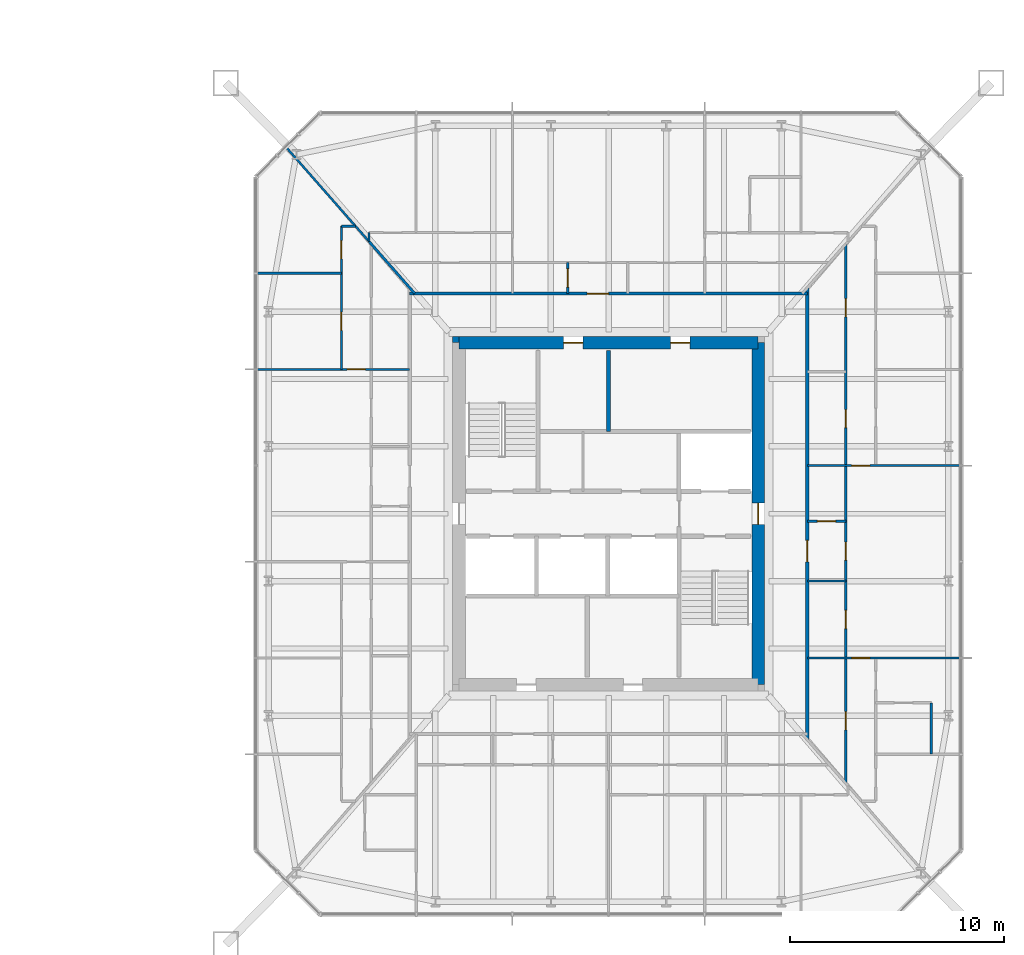
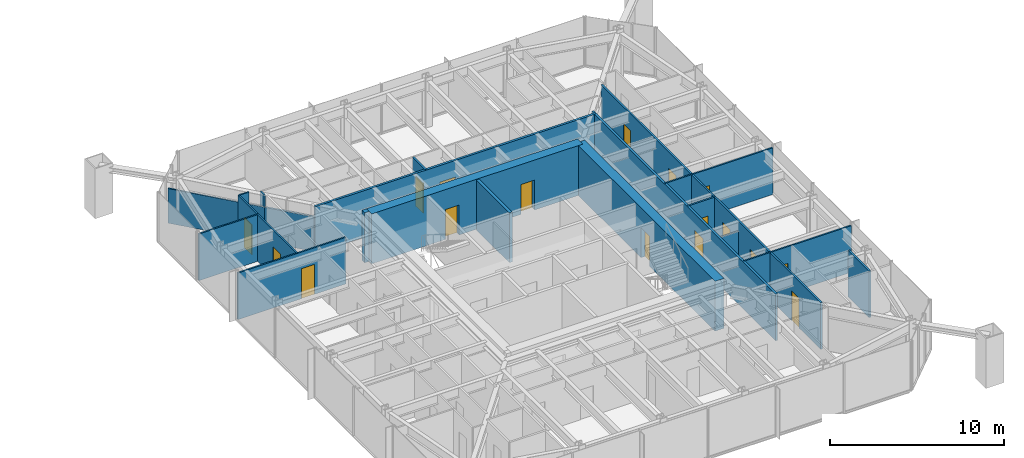
# One storey, part 20 of 26: 20 walls, 17 doors, 17 openings.
"""IFC4 building model written with IfcOpenShell, lengths in metres."""

from ifc_helpers import new_model, si_unit, direction, frame, frame_2d, origin, place, context, subcontext, project, spatial, rectangle, extrude, material, layer, layer_set, type_object, element, fill, save


model = new_model("IFC4")

# Units and contexts
model_context = context("Model", 3, precision=1e-05, world=origin(), true_north=direction((0.0, 1.0)))
body_context = subcontext(model_context, "Body", "Model", "MODEL_VIEW")
ifc_project = project(units=[si_unit("LENGTHUNIT", "METRE"), si_unit("AREAUNIT", "SQUARE_METRE"), si_unit("VOLUMEUNIT", "CUBIC_METRE"), si_unit("PLANEANGLEUNIT", "RADIAN"), si_unit("MASSUNIT", "GRAM", prefix="KILO")], contexts=[model_context])

# Site, building, storey
site_placement = place(None, origin())
site = spatial("IfcSite", under=ifc_project, at=site_placement, CompositionType="ELEMENT")
building_placement = place(site_placement, origin())
building = spatial("IfcBuilding", under=site, at=building_placement, Name="Iwan Alto Co-Living Towers", CompositionType="ELEMENT")
storey_placement = place(building_placement, frame((0.0, 0.0, 32.5)))
storey = spatial("IfcBuildingStorey", under=building, at=storey_placement, Name="L08", CompositionType="ELEMENT", Elevation=32.5)

# Wall, opening, door
ifc_material_1 = material(Name="Gypsum board")
ifc_layer_1 = layer(ifc_material_1, 0.02490234375, Name="Board", Category="Finish")
ifc_material_2 = material(Name="Steel ASTM A1003 ST33H cold-formed studs", Category="steel")
ifc_layer_2 = layer(ifc_material_2, 0.10009765625, Name="Studs", Category="Framing")
ifc_layer_3 = layer(ifc_material_1, 0.02490234375, Name="Board", Category="Finish")
ifc_layer_set_1 = layer_set([ifc_layer_1, ifc_layer_2, ifc_layer_3], Name="CORRIDOR WALL 150")
wall_type_1 = type_object("IfcWallType", Name="CORRIDOR WALL 150", PredefinedType="PARTITIONING", material=ifc_layer_set_1)
wall_1_placement = place(storey_placement, frame((53.699951171875, 10.300048828125, 0.0), z_axis=(0.0, 0.0, 1.0), x_axis=(1.0, 0.0, 0.0)))
wall_1 = element("IfcWall", 1, at=wall_1_placement, inside=storey, type_object=wall_type_1, Name="Partition L08", PredefinedType="PARTITIONING", context=body_context, shape_type="SweptSolid", body=[
    extrude(rectangle(XDim=18.60009765625, YDim=0.14990234375, at=frame_2d((9.300048828125, 0.0))), origin(), (0.0, 0.0, 1.0), 3.27001953125),
])
opening_1_placement = place(wall_1_placement, frame((8.300048828125, 0.0, 0.0)))
opening_1 = element("IfcOpeningElement", 2, at=opening_1_placement, cuts=wall_1, Name="Opening D3", PredefinedType="OPENING", context=body_context, shape_type="SweptSolid", body=[
    extrude(rectangle(XDim=1.0, YDim=2.10009765625, at=frame_2d((0.5, 1.050048828125))), frame((0.0, 0.0849609375, 0.0), z_axis=(0.0, -1.0, 0.0), x_axis=(1.0, 0.0, 0.0)), (0.0, 0.0, 1.0), 0.169921875),
])
ifc_material_3 = material(Name="Steel frame with timber leaf", Category="steel")
door_type_1 = type_object("IfcDoorType", Name="FLAT ENTRANCE DOOR FD30S 1000X2100", OperationType="SINGLE_SWING_LEFT", PredefinedType="DOOR", material=ifc_material_3)
door_1_placement = place(opening_1_placement, origin())
door_1 = element("IfcDoor", 3, at=door_1_placement, inside=storey, type_object=door_type_1, Name="Apartment foyer door L08", OperationType="SINGLE_SWING_LEFT", OverallHeight=2.10009765625, OverallWidth=1.0, PredefinedType="DOOR", context=body_context, shape_type="SweptSolid", body=[
    extrude(rectangle(XDim=1.0, YDim=2.10009765625, at=frame_2d((0.5, 1.050048828125))), frame((0.0, 0.02490234375, 0.0), z_axis=(0.0, -1.0, 0.0), x_axis=(1.0, 0.0, 0.0)), (0.0, 0.0, 1.0), 0.050048828125),
])
fill(opening_1, door_1)

wall_2_placement = place(storey_placement, frame((72.300048828125, -10.568115234375, 0.0), z_axis=(0.0, 0.0, 1.0), x_axis=(0.0, 1.0, 0.0)))
wall_2 = element("IfcWall", 4, at=wall_2_placement, inside=storey, type_object=wall_type_1, Name="Partition L08", PredefinedType="PARTITIONING", context=body_context, shape_type="SweptSolid", body=[
    extrude(rectangle(XDim=21.13623046875, YDim=0.14990234375, at=frame_2d((10.568115234375, 0.0))), origin(), (0.0, 0.0, 1.0), 3.27001953125),
])
opening_2_placement = place(wall_2_placement, frame((8.318115234375, 0.0, 0.0)))
opening_2 = element("IfcOpeningElement", 5, at=opening_2_placement, cuts=wall_2, Name="Opening D3", PredefinedType="OPENING", context=body_context, shape_type="SweptSolid", body=[
    extrude(rectangle(XDim=1.0, YDim=2.10009765625, at=frame_2d((0.5, 1.050048828125))), frame((0.0, 0.0849609375, 0.0), z_axis=(0.0, -1.0, 0.0), x_axis=(1.0, 0.0, 0.0)), (0.0, 0.0, 1.0), 0.169921875),
])
door_2_placement = place(opening_2_placement, frame((1.0, 0.0, 0.0), z_axis=(0.0, 0.0, 1.0), x_axis=(-1.0, 0.0, 0.0)))
door_2 = element("IfcDoor", 6, at=door_2_placement, inside=storey, type_object=door_type_1, Name="Apartment foyer door L08", OperationType="SINGLE_SWING_RIGHT", OverallHeight=2.10009765625, OverallWidth=1.0, PredefinedType="DOOR", context=body_context, shape_type="SweptSolid", body=[
    extrude(rectangle(XDim=1.0, YDim=2.10009765625, at=frame_2d((0.5, 1.050048828125))), frame((0.0, 0.02490234375, 0.0), z_axis=(0.0, -1.0, 0.0), x_axis=(1.0, 0.0, 0.0)), (0.0, 0.0, 1.0), 0.050048828125),
])
fill(opening_2, door_2)

ifc_layer_4 = layer(ifc_material_1, 0.012451171875, Name="Board", Category="Finish")
ifc_layer_5 = layer(ifc_material_2, 0.074951171875, Name="Studs", Category="Framing")
ifc_layer_6 = layer(ifc_material_1, 0.012451171875, Name="Board", Category="Finish")
ifc_layer_set_2 = layer_set([ifc_layer_4, ifc_layer_5, ifc_layer_6], Name="PARTITION 100")
wall_type_2 = type_object("IfcWallType", Name="PARTITION 100", PredefinedType="PARTITIONING", material=ifc_layer_set_2)
wall_3_placement = place(storey_placement, frame((72.300048828125, -6.75, 0.0), z_axis=(0.0, 0.0, 1.0), x_axis=(1.0, 0.0, 0.0)))
wall_3 = element("IfcWall", 7, at=wall_3_placement, inside=storey, type_object=wall_type_2, Name="Partition L08", PredefinedType="PARTITIONING", context=body_context, shape_type="SweptSolid", body=[
    extrude(rectangle(XDim=7.139892578125, YDim=0.10009765625, at=frame_2d((3.56982421875, 0.0))), origin(), (0.0, 0.0, 1.0), 3.27001953125),
])
opening_3_placement = place(wall_3_placement, frame((2.074951171875, 0.0, 0.0)))
opening_3 = element("IfcOpeningElement", 8, at=opening_3_placement, cuts=wall_3, Name="Opening D2", PredefinedType="OPENING", context=body_context, shape_type="SweptSolid", body=[
    extrude(rectangle(XDim=0.85009765625, YDim=2.10009765625, at=frame_2d((0.425048828125, 1.050048828125))), frame((0.0, 0.06005859375, 0.0), z_axis=(0.0, -1.0, 0.0), x_axis=(1.0, 0.0, 0.0)), (0.0, 0.0, 1.0), 0.1201171875),
])
ifc_material_4 = material(Name="Timber leaf in steel frame", Category="steel")
door_type_2 = type_object("IfcDoorType", Name="ROOM DOOR 850X2100", OperationType="SINGLE_SWING_LEFT", PredefinedType="DOOR", material=ifc_material_4)
door_3_placement = place(opening_3_placement, origin())
door_3 = element("IfcDoor", 9, at=door_3_placement, inside=storey, type_object=door_type_2, Name="Apartment hall door L08", OperationType="SINGLE_SWING_LEFT", OverallHeight=2.10009765625, OverallWidth=0.85009765625, PredefinedType="DOOR", context=body_context, shape_type="SweptSolid", body=[
    extrude(rectangle(XDim=0.85009765625, YDim=2.10009765625, at=frame_2d((0.425048828125, 1.050048828125))), frame((0.0, 0.02490234375, 0.0), z_axis=(0.0, -1.0, 0.0), x_axis=(1.0, 0.0, 0.0)), (0.0, 0.0, 1.0), 0.050048828125),
])
fill(opening_3, door_3)

# Wall
wall_4_placement = place(storey_placement, frame((72.300048828125, -3.14990234375, 0.0), z_axis=(0.0, 0.0, 1.0), x_axis=(1.0, 0.0, 0.0)))
element("IfcWall", 10, at=wall_4_placement, inside=storey, type_object=wall_type_2, Name="Partition L08", PredefinedType="PARTITIONING", context=body_context, shape_type="SweptSolid", body=[
    extrude(rectangle(XDim=1.800048828125, YDim=0.10009765625, at=frame_2d((0.89990234375, 0.0))), origin(), (0.0, 0.0, 1.0), 2.586669921875),
])

# Wall, opening, door
wall_5_placement = place(storey_placement, frame((72.300048828125, 2.25, 0.0), z_axis=(0.0, 0.0, 1.0), x_axis=(1.0, 0.0, 0.0)))
wall_5 = element("IfcWall", 11, at=wall_5_placement, inside=storey, type_object=wall_type_2, Name="Partition L08", PredefinedType="PARTITIONING", context=body_context, shape_type="SweptSolid", body=[
    extrude(rectangle(XDim=7.139892578125, YDim=0.10009765625, at=frame_2d((3.56982421875, 0.0))), origin(), (0.0, 0.0, 1.0), 3.27001953125),
])
opening_4_placement = place(wall_5_placement, frame((2.074951171875, 0.0, 0.0)))
opening_4 = element("IfcOpeningElement", 12, at=opening_4_placement, cuts=wall_5, Name="Opening D2", PredefinedType="OPENING", context=body_context, shape_type="SweptSolid", body=[
    extrude(rectangle(XDim=0.85009765625, YDim=2.10009765625, at=frame_2d((0.425048828125, 1.050048828125))), frame((0.0, 0.06005859375, 0.0), z_axis=(0.0, -1.0, 0.0), x_axis=(1.0, 0.0, 0.0)), (0.0, 0.0, 1.0), 0.1201171875),
])
door_4_placement = place(opening_4_placement, frame((0.85009765625, 0.0, 0.0), z_axis=(0.0, 0.0, 1.0), x_axis=(-1.0, 0.0, 0.0)))
door_4 = element("IfcDoor", 13, at=door_4_placement, inside=storey, type_object=door_type_2, Name="Apartment hall door L08", OperationType="SINGLE_SWING_RIGHT", OverallHeight=2.10009765625, OverallWidth=0.85009765625, PredefinedType="DOOR", context=body_context, shape_type="SweptSolid", body=[
    extrude(rectangle(XDim=0.85009765625, YDim=2.10009765625, at=frame_2d((0.425048828125, 1.050048828125))), frame((0.0, 0.02490234375, 0.0), z_axis=(0.0, -1.0, 0.0), x_axis=(1.0, 0.0, 0.0)), (0.0, 0.0, 1.0), 0.050048828125),
])
fill(opening_4, door_4)

wall_6_placement = place(storey_placement, frame((46.56005859375, 6.75, 0.0), z_axis=(0.0, 0.0, 1.0), x_axis=(1.0, 0.0, 0.0)))
wall_6 = element("IfcWall", 14, at=wall_6_placement, inside=storey, type_object=wall_type_2, Name="Partition L08", PredefinedType="PARTITIONING", context=body_context, shape_type="SweptSolid", body=[
    extrude(rectangle(XDim=7.139892578125, YDim=0.10009765625, at=frame_2d((3.56982421875, 0.0))), origin(), (0.0, 0.0, 1.0), 3.27001953125),
])
opening_5_placement = place(wall_6_placement, frame((4.215087890625, 0.0, 0.0)))
opening_5 = element("IfcOpeningElement", 15, at=opening_5_placement, cuts=wall_6, Name="Opening D2", PredefinedType="OPENING", context=body_context, shape_type="SweptSolid", body=[
    extrude(rectangle(XDim=0.85009765625, YDim=2.10009765625, at=frame_2d((0.425048828125, 1.050048828125))), frame((0.0, 0.06005859375, 0.0), z_axis=(0.0, -1.0, 0.0), x_axis=(1.0, 0.0, 0.0)), (0.0, 0.0, 1.0), 0.1201171875),
])
door_5_placement = place(opening_5_placement, frame((0.85009765625, 0.0, 0.0), z_axis=(0.0, 0.0, 1.0), x_axis=(-1.0, 0.0, 0.0)))
door_5 = element("IfcDoor", 16, at=door_5_placement, inside=storey, type_object=door_type_2, Name="Apartment hall door L08", OperationType="SINGLE_SWING_LEFT", OverallHeight=2.10009765625, OverallWidth=0.85009765625, PredefinedType="DOOR", context=body_context, shape_type="SweptSolid", body=[
    extrude(rectangle(XDim=0.85009765625, YDim=2.10009765625, at=frame_2d((0.425048828125, 1.050048828125))), frame((0.0, 0.02490234375, 0.0), z_axis=(0.0, -1.0, 0.0), x_axis=(1.0, 0.0, 0.0)), (0.0, 0.0, 1.0), 0.050048828125),
])
fill(opening_5, door_5)

# Walls
wall_7_placement = place(storey_placement, frame((46.56005859375, 11.25, 0.0), z_axis=(0.0, 0.0, 1.0), x_axis=(1.0, 0.0, 0.0)))
element("IfcWall", 17, at=wall_7_placement, inside=storey, type_object=wall_type_2, Name="Partition L08", PredefinedType="PARTITIONING", context=body_context, shape_type="SweptSolid", body=[
    extrude(rectangle(XDim=3.93994140625, YDim=0.10009765625, at=frame_2d((1.969970703125, 0.0))), origin(), (0.0, 0.0, 1.0), 3.27001953125),
])
wall_8_placement = place(storey_placement, frame((50.5, 13.449951171875, 0.0), z_axis=(0.0, 0.0, 1.0), x_axis=(1.0, 0.0, 0.0)))
element("IfcWall", 18, at=wall_8_placement, inside=storey, type_object=wall_type_2, Name="Partition L08", PredefinedType="PARTITIONING", context=body_context, shape_type="SweptSolid", body=[
    extrude(rectangle(XDim=0.6640625, YDim=0.10009765625, at=frame_2d((0.33203125, 0.0))), origin(), (0.0, 0.0, 1.0), 3.27001953125),
])
wall_9_placement = place(storey_placement, frame((51.800048828125, 12.72705078125, 0.0), z_axis=(0.0, 0.0, 1.0), x_axis=(0.0, 1.0, 0.0)))
element("IfcWall", 19, at=wall_9_placement, inside=storey, type_object=wall_type_2, Name="Partition L08", PredefinedType="PARTITIONING", context=body_context, shape_type="SweptSolid", body=[
    extrude(rectangle(XDim=0.4228515625, YDim=0.10009765625, at=frame_2d((0.21142578125, 0.0))), origin(), (0.0, 0.0, 1.0), 3.27001953125),
])

# Wall, openings, doors
wall_10_placement = place(storey_placement, frame((50.5, 6.75, 0.0), z_axis=(0.0, 0.0, 1.0), x_axis=(0.0, 1.0, 0.0)))
wall_10 = element("IfcWall", 20, at=wall_10_placement, inside=storey, type_object=wall_type_2, Name="Partition L08", PredefinedType="PARTITIONING", context=body_context, shape_type="SweptSolid", body=[
    extrude(rectangle(XDim=6.699951171875, YDim=0.10009765625, at=frame_2d((3.35009765625, 0.0))), origin(), (0.0, 0.0, 1.0), 3.27001953125),
])
opening_6_placement = place(wall_10_placement, frame((1.824951171875, 0.0, 0.0)))
opening_6 = element("IfcOpeningElement", 21, at=opening_6_placement, cuts=wall_10, Name="Opening D2", PredefinedType="OPENING", context=body_context, shape_type="SweptSolid", body=[
    extrude(rectangle(XDim=0.85009765625, YDim=2.10009765625, at=frame_2d((0.425048828125, 1.050048828125))), frame((0.0, 0.06005859375, 0.0), z_axis=(0.0, -1.0, 0.0), x_axis=(1.0, 0.0, 0.0)), (0.0, 0.0, 1.0), 0.1201171875),
])
opening_7_placement = place(wall_10_placement, frame((5.175048828125, 0.0, 0.0)))
opening_7 = element("IfcOpeningElement", 22, at=opening_7_placement, cuts=wall_10, Name="Opening D2", PredefinedType="OPENING", context=body_context, shape_type="SweptSolid", body=[
    extrude(rectangle(XDim=0.85009765625, YDim=2.10009765625, at=frame_2d((0.425048828125, 1.050048828125))), frame((0.0, 0.06005859375, 0.0), z_axis=(0.0, -1.0, 0.0), x_axis=(1.0, 0.0, 0.0)), (0.0, 0.0, 1.0), 0.1201171875),
])
door_6_placement = place(opening_6_placement, origin())
door_6 = element("IfcDoor", 23, at=door_6_placement, inside=storey, type_object=door_type_2, Name="Study door L08", OperationType="SINGLE_SWING_LEFT", OverallHeight=2.10009765625, OverallWidth=0.85009765625, PredefinedType="DOOR", context=body_context, shape_type="SweptSolid", body=[
    extrude(rectangle(XDim=0.85009765625, YDim=2.10009765625, at=frame_2d((0.425048828125, 1.050048828125))), frame((0.0, 0.02490234375, 0.0), z_axis=(0.0, -1.0, 0.0), x_axis=(1.0, 0.0, 0.0)), (0.0, 0.0, 1.0), 0.050048828125),
])
fill(opening_6, door_6)
door_7_placement = place(opening_7_placement, origin())
door_7 = element("IfcDoor", 24, at=door_7_placement, inside=storey, type_object=door_type_2, Name="Bedroom door L08", OperationType="SINGLE_SWING_LEFT", OverallHeight=2.10009765625, OverallWidth=0.85009765625, PredefinedType="DOOR", context=body_context, shape_type="SweptSolid", body=[
    extrude(rectangle(XDim=0.85009765625, YDim=2.10009765625, at=frame_2d((0.425048828125, 1.050048828125))), frame((0.0, 0.02490234375, 0.0), z_axis=(0.0, -1.0, 0.0), x_axis=(1.0, 0.0, 0.0)), (0.0, 0.0, 1.0), 0.050048828125),
])
fill(opening_7, door_7)

# Walls
wall_11_placement = place(storey_placement, frame((51.801025390625, 12.72802734375, 0.0), z_axis=(0.0, 0.0, 1.0), x_axis=(-0.660356300202, 0.750952433103, 0.0)))
element("IfcWall", 25, at=wall_11_placement, inside=storey, type_object=wall_type_2, Name="Partition L08", PredefinedType="PARTITIONING", context=body_context, shape_type="SweptSolid", body=[
    extrude(rectangle(XDim=5.8369140625, YDim=0.10009765625, at=frame_2d((2.91845703125, 0.0))), origin(), (0.0, 0.0, 1.0), 2.42919921875),
])
ifc_material_5 = material(Name="Concrete f'c 70 MPa", Category="concrete")
ifc_layer_7 = layer(ifc_material_5, 0.199951171875)
ifc_layer_set_3 = layer_set([ifc_layer_7], Name="SHAFT WALL 200")
wall_type_3 = type_object("IfcWallType", Name="SHAFT WALL 200", PredefinedType="SOLIDWALL", material=ifc_layer_set_3)
wall_12_placement = place(storey_placement, frame((63.0, 3.85009765625, 0.0), z_axis=(0.0, 0.0, 1.0), x_axis=(0.0, 1.0, 0.0)))
element("IfcWall", 26, at=wall_12_placement, inside=storey, type_object=wall_type_3, Name="Shaft wall L08", PredefinedType="SOLIDWALL", context=body_context, shape_type="SweptSolid", body=[
    extrude(rectangle(XDim=3.789794921875, YDim=0.199951171875, at=frame_2d((1.89501953125, 0.0))), origin(), (0.0, 0.0, 1.0), 3.5),
])
ifc_material_6 = material(Name="Concrete f'c 70 MPa", Category="concrete")
ifc_layer_8 = layer(ifc_material_6, 0.300048828125)
ifc_layer_set_4 = layer_set([ifc_layer_8], Name="T2 CORE CORNER FILL 300")
wall_type_4 = type_object("IfcWallType", Name="T2 CORE CORNER FILL 300", PredefinedType="SOLIDWALL", material=ifc_layer_set_4)
wall_13_placement = place(storey_placement, frame((55.699951171875, 8.14990234375, 0.0), z_axis=(0.0, 0.0, 1.0), x_axis=(1.0, 0.0, 0.0)))
element("IfcWall", 27, at=wall_13_placement, inside=storey, type_object=wall_type_4, Name="T2 core corner NW L08", PredefinedType="SOLIDWALL", context=body_context, shape_type="SweptSolid", body=[
    extrude(rectangle(XDim=0.300048828125, YDim=0.300048828125, at=frame_2d((0.14990234375, 0.0))), origin(), (0.0, 0.0, 1.0), 3.5),
])

# Wall, openings, doors
ifc_material_7 = material(Name="Concrete f'c 70 MPa", Category="concrete")
ifc_layer_9 = layer(ifc_material_7, 0.60009765625)
ifc_layer_set_5 = layer_set([ifc_layer_9], Name="T2 CORE WALL 600")
wall_type_5 = type_object("IfcWallType", Name="T2 CORE WALL 600", PredefinedType="SHEAR", material=ifc_layer_set_5)
wall_14_placement = place(storey_placement, frame((70.0, 8.0, 0.0), z_axis=(0.0, 0.0, 1.0), x_axis=(-1.0, 0.0, 0.0)))
wall_14 = element("IfcWall", 28, at=wall_14_placement, inside=storey, type_object=wall_type_5, Name="T2 core wall N L08", PredefinedType="SHEAR", context=body_context, shape_type="SweptSolid", body=[
    extrude(rectangle(XDim=14.0, YDim=0.60009765625, at=frame_2d((7.0, 0.0))), origin(), (0.0, 0.0, 1.0), 3.5),
])
opening_8_placement = place(wall_14_placement, frame((8.199951171875, 0.0, 0.0)))
opening_8 = element("IfcOpeningElement", 29, at=opening_8_placement, cuts=wall_14, Name="Opening D8", PredefinedType="OPENING", context=body_context, shape_type="SweptSolid", body=[
    extrude(rectangle(XDim=0.89990234375, YDim=2.10009765625, at=frame_2d((0.449951171875, 1.050048828125))), frame((0.0, 0.31005859375, 0.0), z_axis=(0.0, -1.0, 0.0), x_axis=(1.0, 0.0, 0.0)), (0.0, 0.0, 1.0), 0.6201171875),
])
opening_9_placement = place(wall_14_placement, frame((3.199951171875, 0.0, 0.0)))
opening_9 = element("IfcOpeningElement", 30, at=opening_9_placement, cuts=wall_14, Name="Opening D8", PredefinedType="OPENING", context=body_context, shape_type="SweptSolid", body=[
    extrude(rectangle(XDim=0.89990234375, YDim=2.10009765625, at=frame_2d((0.449951171875, 1.050048828125))), frame((0.0, 0.31005859375, 0.0), z_axis=(0.0, -1.0, 0.0), x_axis=(1.0, 0.0, 0.0)), (0.0, 0.0, 1.0), 0.6201171875),
])
ifc_material_8 = material(Name="Steel frame with timber leaf", Category="steel")
door_type_3 = type_object("IfcDoorType", Name="RISER DOOR FD120 900X2100", OperationType="SINGLE_SWING_LEFT", PredefinedType="DOOR", material=ifc_material_8)
door_8_placement = place(opening_8_placement, origin())
door_8 = element("IfcDoor", 31, at=door_8_placement, inside=storey, type_object=door_type_3, Name="Electrical riser core door L08", OperationType="SINGLE_SWING_RIGHT", OverallHeight=2.10009765625, OverallWidth=0.89990234375, PredefinedType="DOOR", context=body_context, shape_type="SweptSolid", body=[
    extrude(rectangle(XDim=0.89990234375, YDim=2.10009765625, at=frame_2d((0.449951171875, 1.050048828125))), frame((0.0, 0.02490234375, 0.0), z_axis=(0.0, -1.0, 0.0), x_axis=(1.0, 0.0, 0.0)), (0.0, 0.0, 1.0), 0.050048828125),
])
fill(opening_8, door_8)
door_9_placement = place(opening_9_placement, origin())
door_9 = element("IfcDoor", 32, at=door_9_placement, inside=storey, type_object=door_type_3, Name="Water and drainage riser core door L08", OperationType="SINGLE_SWING_RIGHT", OverallHeight=2.10009765625, OverallWidth=0.89990234375, PredefinedType="DOOR", context=body_context, shape_type="SweptSolid", body=[
    extrude(rectangle(XDim=0.89990234375, YDim=2.10009765625, at=frame_2d((0.449951171875, 1.050048828125))), frame((0.0, 0.02490234375, 0.0), z_axis=(0.0, -1.0, 0.0), x_axis=(1.0, 0.0, 0.0)), (0.0, 0.0, 1.0), 0.050048828125),
])
fill(opening_9, door_9)

# Wall, opening, door
wall_15_placement = place(storey_placement, frame((70.0, -8.0, 0.0), z_axis=(0.0, 0.0, 1.0), x_axis=(0.0, 1.0, 0.0)))
wall_15 = element("IfcWall", 33, at=wall_15_placement, inside=storey, type_object=wall_type_5, Name="T2 core wall E L08", PredefinedType="SHEAR", context=body_context, shape_type="SweptSolid", body=[
    extrude(rectangle(XDim=16.0, YDim=0.60009765625, at=frame_2d((8.0, 0.0))), origin(), (0.0, 0.0, 1.0), 3.5),
])
opening_10_placement = place(wall_15_placement, frame((7.5, 0.0, 0.0)))
opening_10 = element("IfcOpeningElement", 34, at=opening_10_placement, cuts=wall_15, Name="Opening D7", PredefinedType="OPENING", context=body_context, shape_type="SweptSolid", body=[
    extrude(rectangle(XDim=1.0, YDim=2.10009765625, at=frame_2d((0.5, 1.050048828125))), frame((0.0, 0.31005859375, 0.0), z_axis=(0.0, -1.0, 0.0), x_axis=(1.0, 0.0, 0.0)), (0.0, 0.0, 1.0), 0.6201171875),
])
ifc_material_9 = material(Name="Steel frame with timber leaf", Category="steel")
door_type_4 = type_object("IfcDoorType", Name="CORE DOOR FD120S 1000X2100", OperationType="SINGLE_SWING_LEFT", PredefinedType="DOOR", material=ifc_material_9)
door_10_placement = place(opening_10_placement, origin())
door_10 = element("IfcDoor", 35, at=door_10_placement, inside=storey, type_object=door_type_4, Name="Firefighting lobby core door L08", OperationType="SINGLE_SWING_LEFT", OverallHeight=2.10009765625, OverallWidth=1.0, PredefinedType="DOOR", context=body_context, shape_type="SweptSolid", body=[
    extrude(rectangle(XDim=1.0, YDim=2.10009765625, at=frame_2d((0.5, 1.050048828125))), frame((0.0, 0.02490234375, 0.0), z_axis=(0.0, -1.0, 0.0), x_axis=(1.0, 0.0, 0.0)), (0.0, 0.0, 1.0), 0.050048828125),
])
fill(opening_10, door_10)

ifc_material_10 = material(Name="Cement board")
ifc_layer_10 = layer(ifc_material_10, 0.012451171875, Name="Board", Category="Finish")
ifc_layer_11 = layer(ifc_material_2, 0.094970703125, Name="Studs", Category="Framing")
ifc_layer_12 = layer(ifc_material_10, 0.012451171875, Name="Board", Category="Finish")
ifc_layer_set_6 = layer_set([ifc_layer_10, ifc_layer_11, ifc_layer_12], Name="WET AREA PARTITION 120")
wall_type_6 = type_object("IfcWallType", Name="WET AREA PARTITION 120", PredefinedType="PARTITIONING", material=ifc_layer_set_6)
wall_16_placement = place(storey_placement, frame((72.300048828125, -0.35009765625, 0.0), z_axis=(0.0, 0.0, 1.0), x_axis=(1.0, 0.0, 0.0)))
wall_16 = element("IfcWall", 36, at=wall_16_placement, inside=storey, type_object=wall_type_6, Name="Partition L08", PredefinedType="PARTITIONING", context=body_context, shape_type="SweptSolid", body=[
    extrude(rectangle(XDim=1.800048828125, YDim=0.1201171875, at=frame_2d((0.89990234375, 0.0))), origin(), (0.0, 0.0, 1.0), 3.27001953125),
])
opening_11_placement = place(wall_16_placement, frame((0.47509765625, 0.0, 0.0)))
opening_11 = element("IfcOpeningElement", 37, at=opening_11_placement, cuts=wall_16, Name="Opening D2", PredefinedType="OPENING", context=body_context, shape_type="SweptSolid", body=[
    extrude(rectangle(XDim=0.85009765625, YDim=2.10009765625, at=frame_2d((0.425048828125, 1.050048828125))), frame((0.0, 0.070068359375, 0.0), z_axis=(0.0, -1.0, 0.0), x_axis=(1.0, 0.0, 0.0)), (0.0, 0.0, 1.0), 0.14013671875),
])
door_11_placement = place(opening_11_placement, origin())
door_11 = element("IfcDoor", 38, at=door_11_placement, inside=storey, type_object=door_type_2, Name="Bathroom door L08", OperationType="SINGLE_SWING_LEFT", OverallHeight=2.10009765625, OverallWidth=0.85009765625, PredefinedType="DOOR", context=body_context, shape_type="SweptSolid", body=[
    extrude(rectangle(XDim=0.85009765625, YDim=2.10009765625, at=frame_2d((0.425048828125, 1.050048828125))), frame((0.0, 0.02490234375, 0.0), z_axis=(0.0, -1.0, 0.0), x_axis=(1.0, 0.0, 0.0)), (0.0, 0.0, 1.0), 0.050048828125),
])
fill(opening_11, door_11)

# Wall
wall_17_placement = place(storey_placement, frame((78.10009765625, -11.25, 0.0), z_axis=(0.0, 0.0, 1.0), x_axis=(0.0, 1.0, 0.0)))
element("IfcWall", 39, at=wall_17_placement, inside=storey, type_object=wall_type_6, Name="Partition L08", PredefinedType="PARTITIONING", context=body_context, shape_type="SweptSolid", body=[
    extrude(rectangle(XDim=2.39990234375, YDim=0.1201171875, at=frame_2d((1.199951171875, 0.0))), origin(), (0.0, 0.0, 1.0), 3.27001953125),
])

# Wall, openings, doors
wall_18_placement = place(storey_placement, frame((74.10009765625, -12.614013671875, 0.0), z_axis=(0.0, 0.0, 1.0), x_axis=(0.0, 1.0, 0.0)))
wall_18 = element("IfcWall", 40, at=wall_18_placement, inside=storey, type_object=wall_type_6, Name="Partition L08", PredefinedType="PARTITIONING", context=body_context, shape_type="SweptSolid", body=[
    extrude(rectangle(XDim=25.22802734375, YDim=0.1201171875, at=frame_2d((12.614013671875, 0.0))), origin(), (0.0, 0.0, 1.0), 3.27001953125),
])
opening_12_placement = place(wall_18_placement, frame((7.239013671875, 0.0, 0.0)))
opening_12 = element("IfcOpeningElement", 41, at=opening_12_placement, cuts=wall_18, Name="Opening D2", PredefinedType="OPENING", context=body_context, shape_type="SweptSolid", body=[
    extrude(rectangle(XDim=0.85009765625, YDim=2.10009765625, at=frame_2d((0.425048828125, 1.050048828125))), frame((0.0, 0.070068359375, 0.0), z_axis=(0.0, -1.0, 0.0), x_axis=(1.0, 0.0, 0.0)), (0.0, 0.0, 1.0), 0.14013671875),
])
opening_13_placement = place(wall_18_placement, frame((10.43896484375, 0.0, 0.0)))
opening_13 = element("IfcOpeningElement", 42, at=opening_13_placement, cuts=wall_18, Name="Opening D2", PredefinedType="OPENING", context=body_context, shape_type="SweptSolid", body=[
    extrude(rectangle(XDim=0.85009765625, YDim=2.10009765625, at=frame_2d((0.425048828125, 1.050048828125))), frame((0.0, 0.070068359375, 0.0), z_axis=(0.0, -1.0, 0.0), x_axis=(1.0, 0.0, 0.0)), (0.0, 0.0, 1.0), 0.14013671875),
])
opening_14_placement = place(wall_18_placement, frame((2.507080078125, 0.0, 0.0)))
opening_14 = element("IfcOpeningElement", 43, at=opening_14_placement, cuts=wall_18, Name="Opening D2", PredefinedType="OPENING", context=body_context, shape_type="SweptSolid", body=[
    extrude(rectangle(XDim=0.85009765625, YDim=2.10009765625, at=frame_2d((0.425048828125, 1.050048828125))), frame((0.0, 0.070068359375, 0.0), z_axis=(0.0, -1.0, 0.0), x_axis=(1.0, 0.0, 0.0)), (0.0, 0.0, 1.0), 0.14013671875),
])
opening_15_placement = place(wall_18_placement, frame((16.638916015625, 0.0, 0.0)))
opening_15 = element("IfcOpeningElement", 44, at=opening_15_placement, cuts=wall_18, Name="Opening D2", PredefinedType="OPENING", context=body_context, shape_type="SweptSolid", body=[
    extrude(rectangle(XDim=0.85009765625, YDim=2.10009765625, at=frame_2d((0.425048828125, 1.050048828125))), frame((0.0, 0.070068359375, 0.0), z_axis=(0.0, -1.0, 0.0), x_axis=(1.0, 0.0, 0.0)), (0.0, 0.0, 1.0), 0.14013671875),
])
opening_16_placement = place(wall_18_placement, frame((21.821044921875, 0.0, 0.0)))
opening_16 = element("IfcOpeningElement", 45, at=opening_16_placement, cuts=wall_18, Name="Opening D2", PredefinedType="OPENING", context=body_context, shape_type="SweptSolid", body=[
    extrude(rectangle(XDim=0.85009765625, YDim=2.10009765625, at=frame_2d((0.425048828125, 1.050048828125))), frame((0.0, 0.070068359375, 0.0), z_axis=(0.0, -1.0, 0.0), x_axis=(1.0, 0.0, 0.0)), (0.0, 0.0, 1.0), 0.14013671875),
])
door_12_placement = place(opening_12_placement, frame((0.85009765625, 0.0, 0.0), z_axis=(0.0, 0.0, 1.0), x_axis=(-1.0, 0.0, 0.0)))
door_12 = element("IfcDoor", 46, at=door_12_placement, inside=storey, type_object=door_type_2, Name="Kitchen door L08", OperationType="SINGLE_SWING_RIGHT", OverallHeight=2.10009765625, OverallWidth=0.85009765625, PredefinedType="DOOR", context=body_context, shape_type="SweptSolid", body=[
    extrude(rectangle(XDim=0.85009765625, YDim=2.10009765625, at=frame_2d((0.425048828125, 1.050048828125))), frame((0.0, 0.02490234375, 0.0), z_axis=(0.0, -1.0, 0.0), x_axis=(1.0, 0.0, 0.0)), (0.0, 0.0, 1.0), 0.050048828125),
])
fill(opening_12, door_12)
door_13_placement = place(opening_13_placement, frame((0.85009765625, 0.0, 0.0), z_axis=(0.0, 0.0, 1.0), x_axis=(-1.0, 0.0, 0.0)))
door_13 = element("IfcDoor", 47, at=door_13_placement, inside=storey, type_object=door_type_2, Name="Apartment foyer door L08", OperationType="SINGLE_SWING_LEFT", OverallHeight=2.10009765625, OverallWidth=0.85009765625, PredefinedType="DOOR", context=body_context, shape_type="SweptSolid", body=[
    extrude(rectangle(XDim=0.85009765625, YDim=2.10009765625, at=frame_2d((0.425048828125, 1.050048828125))), frame((0.0, 0.02490234375, 0.0), z_axis=(0.0, -1.0, 0.0), x_axis=(1.0, 0.0, 0.0)), (0.0, 0.0, 1.0), 0.050048828125),
])
fill(opening_13, door_13)
door_14_placement = place(opening_14_placement, origin())
door_14 = element("IfcDoor", 48, at=door_14_placement, inside=storey, type_object=door_type_2, Name="Utility room door L08", OperationType="SINGLE_SWING_LEFT", OverallHeight=2.10009765625, OverallWidth=0.85009765625, PredefinedType="DOOR", context=body_context, shape_type="SweptSolid", body=[
    extrude(rectangle(XDim=0.85009765625, YDim=2.10009765625, at=frame_2d((0.425048828125, 1.050048828125))), frame((0.0, 0.02490234375, 0.0), z_axis=(0.0, -1.0, 0.0), x_axis=(1.0, 0.0, 0.0)), (0.0, 0.0, 1.0), 0.050048828125),
])
fill(opening_14, door_14)
door_15_placement = place(opening_15_placement, origin())
door_15 = element("IfcDoor", 49, at=door_15_placement, inside=storey, type_object=door_type_2, Name="Utility room door L08", OperationType="SINGLE_SWING_LEFT", OverallHeight=2.10009765625, OverallWidth=0.85009765625, PredefinedType="DOOR", context=body_context, shape_type="SweptSolid", body=[
    extrude(rectangle(XDim=0.85009765625, YDim=2.10009765625, at=frame_2d((0.425048828125, 1.050048828125))), frame((0.0, 0.02490234375, 0.0), z_axis=(0.0, -1.0, 0.0), x_axis=(1.0, 0.0, 0.0)), (0.0, 0.0, 1.0), 0.050048828125),
])
fill(opening_15, door_15)
door_16_placement = place(opening_16_placement, origin())
door_16 = element("IfcDoor", 50, at=door_16_placement, inside=storey, type_object=door_type_2, Name="Store room door L08", OperationType="SINGLE_SWING_RIGHT", OverallHeight=2.10009765625, OverallWidth=0.85009765625, PredefinedType="DOOR", context=body_context, shape_type="SweptSolid", body=[
    extrude(rectangle(XDim=0.85009765625, YDim=2.10009765625, at=frame_2d((0.425048828125, 1.050048828125))), frame((0.0, 0.02490234375, 0.0), z_axis=(0.0, -1.0, 0.0), x_axis=(1.0, 0.0, 0.0)), (0.0, 0.0, 1.0), 0.050048828125),
])
fill(opening_16, door_16)

# Wall, opening, door
wall_19_placement = place(storey_placement, frame((61.10009765625, 10.300048828125, 0.0), z_axis=(0.0, 0.0, 1.0), x_axis=(0.0, 1.0, 0.0)))
wall_19 = element("IfcWall", 51, at=wall_19_placement, inside=storey, type_object=wall_type_6, Name="Partition L08", PredefinedType="PARTITIONING", context=body_context, shape_type="SweptSolid", body=[
    extrude(rectangle(XDim=1.449951171875, YDim=0.1201171875, at=frame_2d((0.72509765625, 0.0))), origin(), (0.0, 0.0, 1.0), 3.27001953125),
])
opening_17_placement = place(wall_19_placement, frame((0.300048828125, 0.0, 0.0)))
opening_17 = element("IfcOpeningElement", 52, at=opening_17_placement, cuts=wall_19, Name="Opening D2", PredefinedType="OPENING", context=body_context, shape_type="SweptSolid", body=[
    extrude(rectangle(XDim=0.85009765625, YDim=2.10009765625, at=frame_2d((0.425048828125, 1.050048828125))), frame((0.0, 0.070068359375, 0.0), z_axis=(0.0, -1.0, 0.0), x_axis=(1.0, 0.0, 0.0)), (0.0, 0.0, 1.0), 0.14013671875),
])
door_17_placement = place(opening_17_placement, origin())
door_17 = element("IfcDoor", 53, at=door_17_placement, inside=storey, type_object=door_type_2, Name="Shower room door L08", OperationType="SINGLE_SWING_LEFT", OverallHeight=2.10009765625, OverallWidth=0.85009765625, PredefinedType="DOOR", context=body_context, shape_type="SweptSolid", body=[
    extrude(rectangle(XDim=0.85009765625, YDim=2.10009765625, at=frame_2d((0.425048828125, 1.050048828125))), frame((0.0, 0.02490234375, 0.0), z_axis=(0.0, -1.0, 0.0), x_axis=(1.0, 0.0, 0.0)), (0.0, 0.0, 1.0), 0.050048828125),
])
fill(opening_17, door_17)

# Wall
wall_20_placement = place(storey_placement, frame((53.93603515625, 10.300048828125, 0.0), z_axis=(0.0, 0.0, 1.0), x_axis=(-0.660384426006, 0.750927699508, 0.0)))
element("IfcWall", 54, at=wall_20_placement, inside=storey, type_object=wall_type_6, Name="Partition L08", PredefinedType="PARTITIONING", context=body_context, shape_type="SweptSolid", body=[
    extrude(rectangle(XDim=3.23291015625, YDim=0.1201171875, at=frame_2d((1.616455078125, 0.0))), origin(), (0.0, 0.0, 1.0), 2.42919921875),
])

save(model, "model.ifc")
